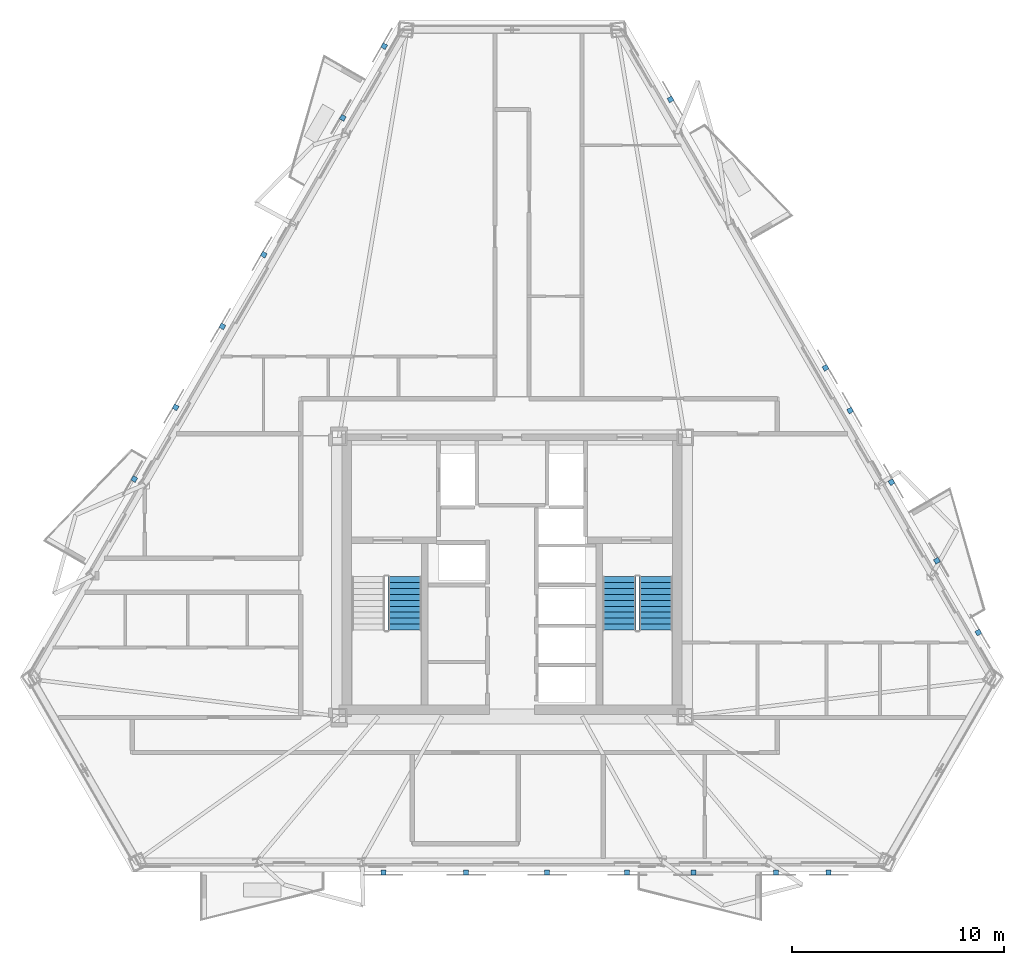
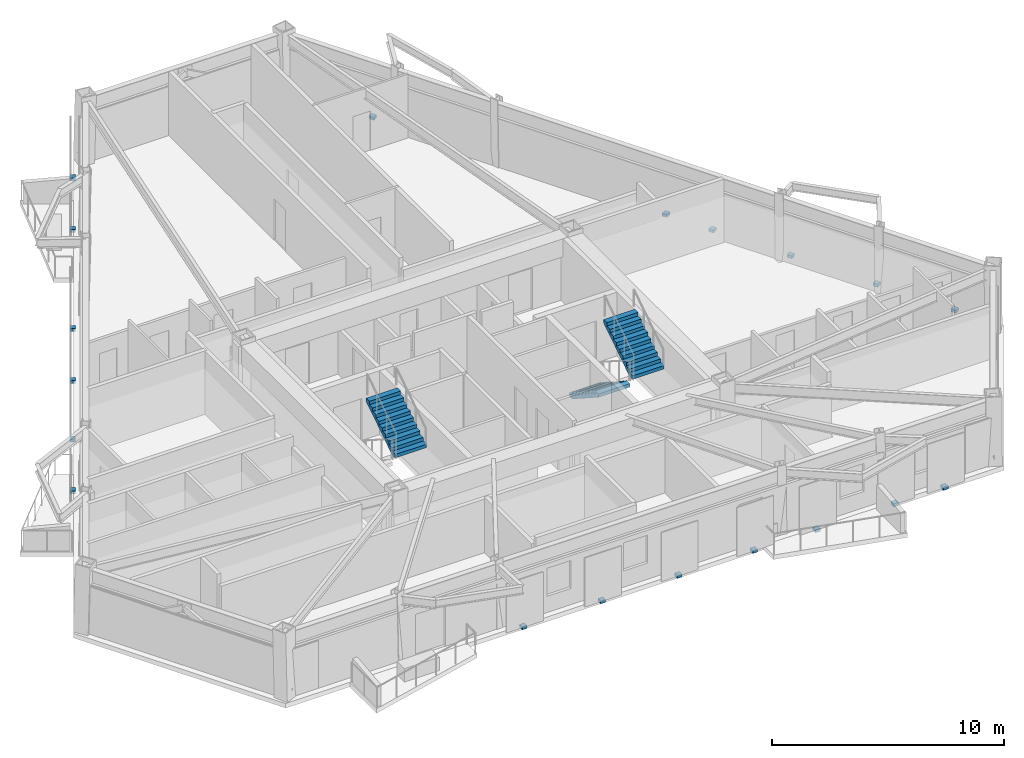
# One storey, part 6 of 9: 19 discrete accessories, 3 stair flights, 2 elements without a shape of their own.
"""IFC4 building model written with IfcOpenShell, lengths in metres."""

from ifc_helpers import new_model, si_unit, direction, frame, origin, origin_2d, place, context, subcontext, project, spatial, polyline, rectangle, outline, extrude, material, type_object, element, aggregate, save


model = new_model("IFC4")

# Units and contexts
model_context = context("Model", 3, precision=1e-05, world=origin(), true_north=direction((0.0, 1.0)))
body_context = subcontext(model_context, "Body", "Model", "MODEL_VIEW")
ifc_project = project(units=[si_unit("LENGTHUNIT", "METRE"), si_unit("AREAUNIT", "SQUARE_METRE"), si_unit("VOLUMEUNIT", "CUBIC_METRE"), si_unit("PLANEANGLEUNIT", "RADIAN"), si_unit("MASSUNIT", "GRAM", prefix="KILO")], contexts=[model_context])

# Site, building, storey
site_placement = place(None, origin())
site = spatial("IfcSite", under=ifc_project, at=site_placement, CompositionType="ELEMENT")
building_placement = place(site_placement, origin())
building = spatial("IfcBuilding", under=site, at=building_placement, Name="Oramaril Tower", CompositionType="ELEMENT")
storey_placement = place(building_placement, frame((0.0, 0.0, 138.60009765625)))
storey = spatial("IfcBuildingStorey", under=building, at=storey_placement, Name="L36", CompositionType="ELEMENT", Elevation=138.60009765625)

# Stair, stair flight
ifc_material_1 = material(Name="Concrete C50/60", Category="concrete")
stair_type = type_object("IfcStairType", Name="STT-DG-3600", PredefinedType="HALF_TURN_STAIR", material=ifc_material_1)
stair_1_placement = place(storey_placement, origin())
stair_1 = element("IfcStair", 1, at=stair_1_placement, inside=storey, type_object=stair_type, Name="L36 Protected PFP Exit Stair ST-1", PredefinedType="HALF_TURN_STAIR")
ifc_material_2 = material(Name="Concrete C50/60", Category="concrete")
stair_flight_type = type_object("IfcStairFlightType", Name="SFT-DG-3600", PredefinedType="STRAIGHT", material=ifc_material_2)
stair_flight_1_placement = place(storey_placement, frame((32.43994140625, 15.070068359375, 1.7998046875), z_axis=(0.0, 0.0, 1.0), x_axis=(0.0, 1.0, 0.0)))
stair_flight_1 = element("IfcStairFlight", 2, at=stair_flight_1_placement, type_object=stair_flight_type, Name="ST-1 flight 2", NumberOfRisers=10, NumberOfTreads=9, PredefinedType="STRAIGHT", RiserHeight=0.18, TreadLength=0.28, context=body_context, shape_type="SweptSolid", body=[
    extrude(outline(polyline([(0.0, 0.0), (0.0, 0.179931640625), (0.280029296875, 0.179931640625), (0.280029296875, 0.360107421875), (0.56005859375, 0.360107421875), (0.56005859375, 0.5400390625), (0.840087890625, 0.5400390625), (0.840087890625, 0.719970703125), (1.1201171875, 0.719970703125), (1.1201171875, 0.89990234375), (1.39990234375, 0.89990234375), (1.39990234375, 1.080078125), (1.679931640625, 1.080078125), (1.679931640625, 1.260009765625), (1.9599609375, 1.260009765625), (1.9599609375, 1.43994140625), (2.239990234375, 1.43994140625), (2.239990234375, 1.6201171875), (2.52001953125, 1.6201171875), (2.52001953125, 1.800048828125), (2.52001953125, 1.44189453125), (0.277099609375, 0.0), (0.0, 0.0)])), frame((0.0, 0.780029296875, 0.0), z_axis=(0.0, -1.0, 0.0), x_axis=(1.0, 0.0, 0.0)), (0.0, 0.0, 1.0), 1.56005859375),
])
aggregate(stair_1, [stair_flight_1])

# Stair, stair flights
stair_2_placement = place(storey_placement, origin())
stair_2 = element("IfcStair", 3, at=stair_2_placement, inside=storey, type_object=stair_type, Name="L36 Protected PFP Exit Stair ST-2", PredefinedType="HALF_TURN_STAIR")
stair_flight_2_placement = place(storey_placement, frame((42.56005859375, 17.590087890625, 0.0), z_axis=(0.0, 0.0, 1.0), x_axis=(0.0, -1.0, 0.0)))
stair_flight_2 = element("IfcStairFlight", 4, at=stair_flight_2_placement, type_object=stair_flight_type, Name="ST-2 flight 1", NumberOfRisers=10, NumberOfTreads=9, PredefinedType="STRAIGHT", RiserHeight=0.18, TreadLength=0.28, context=body_context, shape_type="SweptSolid", body=[
    extrude(outline(polyline([(0.0, 0.0), (0.0, 0.179931640625), (0.280029296875, 0.179931640625), (0.280029296875, 0.360107421875), (0.56005859375, 0.360107421875), (0.56005859375, 0.5400390625), (0.840087890625, 0.5400390625), (0.840087890625, 0.719970703125), (1.1201171875, 0.719970703125), (1.1201171875, 0.89990234375), (1.39990234375, 0.89990234375), (1.39990234375, 1.080078125), (1.679931640625, 1.080078125), (1.679931640625, 1.260009765625), (1.9599609375, 1.260009765625), (1.9599609375, 1.43994140625), (2.239990234375, 1.43994140625), (2.239990234375, 1.6201171875), (2.52001953125, 1.6201171875), (2.52001953125, 1.800048828125), (2.52001953125, 1.44189453125), (0.277099609375, 0.0), (0.0, 0.0)])), frame((0.0, 0.780029296875, 0.0), z_axis=(0.0, -1.0, 0.0), x_axis=(1.0, 0.0, 0.0)), (0.0, 0.0, 1.0), 1.56005859375),
])
stair_flight_3_placement = place(storey_placement, frame((44.27001953125, 15.070068359375, 1.7998046875), z_axis=(0.0, 0.0, 1.0), x_axis=(0.0, 1.0, 0.0)))
stair_flight_3 = element("IfcStairFlight", 5, at=stair_flight_3_placement, type_object=stair_flight_type, Name="ST-2 flight 2", NumberOfRisers=10, NumberOfTreads=9, PredefinedType="STRAIGHT", RiserHeight=0.18, TreadLength=0.28, context=body_context, shape_type="SweptSolid", body=[
    extrude(outline(polyline([(0.0, 0.0), (0.0, 0.179931640625), (0.280029296875, 0.179931640625), (0.280029296875, 0.360107421875), (0.56005859375, 0.360107421875), (0.56005859375, 0.5400390625), (0.840087890625, 0.5400390625), (0.840087890625, 0.719970703125), (1.1201171875, 0.719970703125), (1.1201171875, 0.89990234375), (1.39990234375, 0.89990234375), (1.39990234375, 1.080078125), (1.679931640625, 1.080078125), (1.679931640625, 1.260009765625), (1.9599609375, 1.260009765625), (1.9599609375, 1.43994140625), (2.239990234375, 1.43994140625), (2.239990234375, 1.6201171875), (2.52001953125, 1.6201171875), (2.52001953125, 1.800048828125), (2.52001953125, 1.44189453125), (0.277099609375, 0.0), (0.0, 0.0)])), frame((0.0, 0.780029296875, 0.0), z_axis=(0.0, -1.0, 0.0), x_axis=(1.0, 0.0, 0.0)), (0.0, 0.0, 1.0), 1.56005859375),
])
aggregate(stair_2, [stair_flight_2, stair_flight_3])

# Discrete accessories
for number, where, z_axis, x_axis, name in (
    (6, (31.441650390625, 3.640869140625, -0.14013671875), (0.0, 0.0, 1.0), (1.0, 0.0, 0.0), "L36 Solar Screen Slab Bracket"),
    (7, (35.341796875, 3.640869140625, -0.14013671875), (0.0, 0.0, 1.0), (1.0, 0.0, 0.0), "L36 Solar Screen Slab Bracket"),
    (8, (39.158203125, 3.640869140625, -0.14013671875), (0.0, 0.0, 1.0), (1.0, 0.0, 0.0), "L36 Solar Screen Slab Bracket"),
    (9, (46.04638671875, 3.640869140625, -0.14013671875), (0.0, 0.0, 1.0), (1.0, 0.0, 0.0), "L36 Solar Screen Slab Bracket"),
    (10, (49.9462890625, 3.640869140625, -0.14013671875), (0.0, 0.0, 1.0), (1.0, 0.0, 0.0), "L36 Solar Screen Slab Bracket"),
    (11, (52.420654296875, 3.640869140625, -0.14013671875), (0.0, 0.0, 1.0), (1.0, 0.0, 0.0), "L36 Solar Screen Slab Bracket"),
    (12, (42.925048828125, 3.640869140625, -0.14013671875), (0.0, 0.0, 1.0), (1.0, 0.0, 0.0), "L36 Solar Screen Slab Bracket"),
    (13, (59.474609375, 14.957275390625, -0.14013671875), (0.0, 0.0, 1.0), (-0.5, 0.866025403784, 0.0), "L36 Solar Screen Slab Bracket"),
    (14, (57.524658203125, 18.334716796875, -0.14013671875), (0.0, 0.0, 1.0), (-0.5, 0.866025403784, 0.0), "L36 Solar Screen Slab Bracket"),
    (15, (55.385498046875, 22.0400390625, -0.14013671875), (0.0, 0.0, 1.0), (-0.5, 0.866025403784, 0.0), "L36 Solar Screen Slab Bracket"),
    (16, (53.435546875, 25.41748046875, -0.14013671875), (0.0, 0.0, 1.0), (-0.5, 0.866025403784, 0.0), "L36 Solar Screen Slab Bracket"),
    (17, (52.27587890625, 27.42626953125, -0.14013671875), (0.0, 0.0, 1.0), (-0.5, 0.866025403784, 0.0), "L36 Solar Screen Slab Bracket"),
    (18, (44.971435546875, 40.07763671875, -0.14013671875), (0.0, 0.0, 1.0), (-0.5, 0.866025403784, 0.0), "L36 Solar Screen Slab Bracket"),
    (19, (21.6494140625, 25.564453125, -0.14013671875), (0.0, 0.0, 1.0), (-0.5, -0.866025403784, 0.0), "L36 Solar Screen Slab Bracket"),
    (20, (19.699462890625, 22.18701171875, -0.14013671875), (0.0, 0.0, 1.0), (-0.5, -0.866025403784, 0.0), "L36 Solar Screen Slab Bracket"),
    (21, (31.47705078125, 42.586669921875, -0.14013671875), (0.0, 0.0, 1.0), (-0.5, -0.866025403784, 0.0), "L36 Solar Screen Slab Bracket"),
    (22, (29.527099609375, 39.208984375, -0.14013671875), (0.0, 0.0, 1.0), (-0.5, -0.866025403784, 0.0), "L36 Solar Screen Slab Bracket"),
    (23, (25.80322265625, 32.75927734375, -0.14013671875), (0.0, 0.0, 1.0), (-0.5, -0.866025403784, 0.0), "L36 Solar Screen Slab Bracket"),
    (24, (23.853271484375, 29.381591796875, -0.14013671875), (0.0, 0.0, 1.0), (-0.5, -0.866025403784, 0.0), "L36 Solar Screen Slab Bracket"),
):
    element("IfcDiscreteAccessory", number, at=place(storey_placement, frame(where, z_axis=z_axis, x_axis=x_axis)), inside=storey, Name=name, PredefinedType="BRACKET", context=body_context, shape_type="SweptSolid", body=[
        extrude(rectangle(XDim=0.239990234375, YDim=0.239990234375, at=origin_2d()), origin(), (0.0, 0.0, 1.0), 0.159912109375),
    ])

save(model, "model.ifc")
